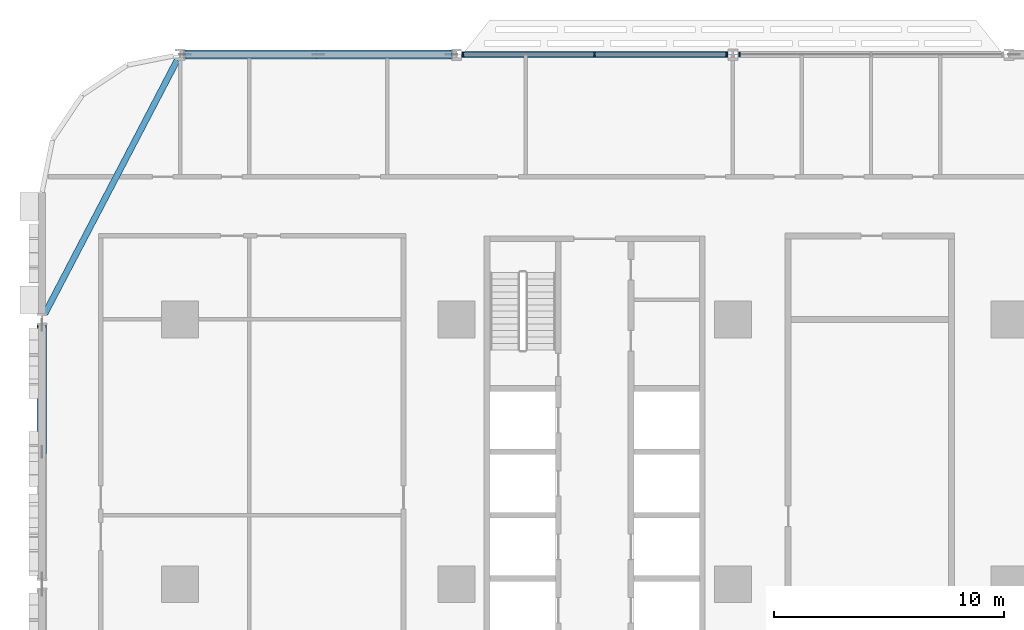
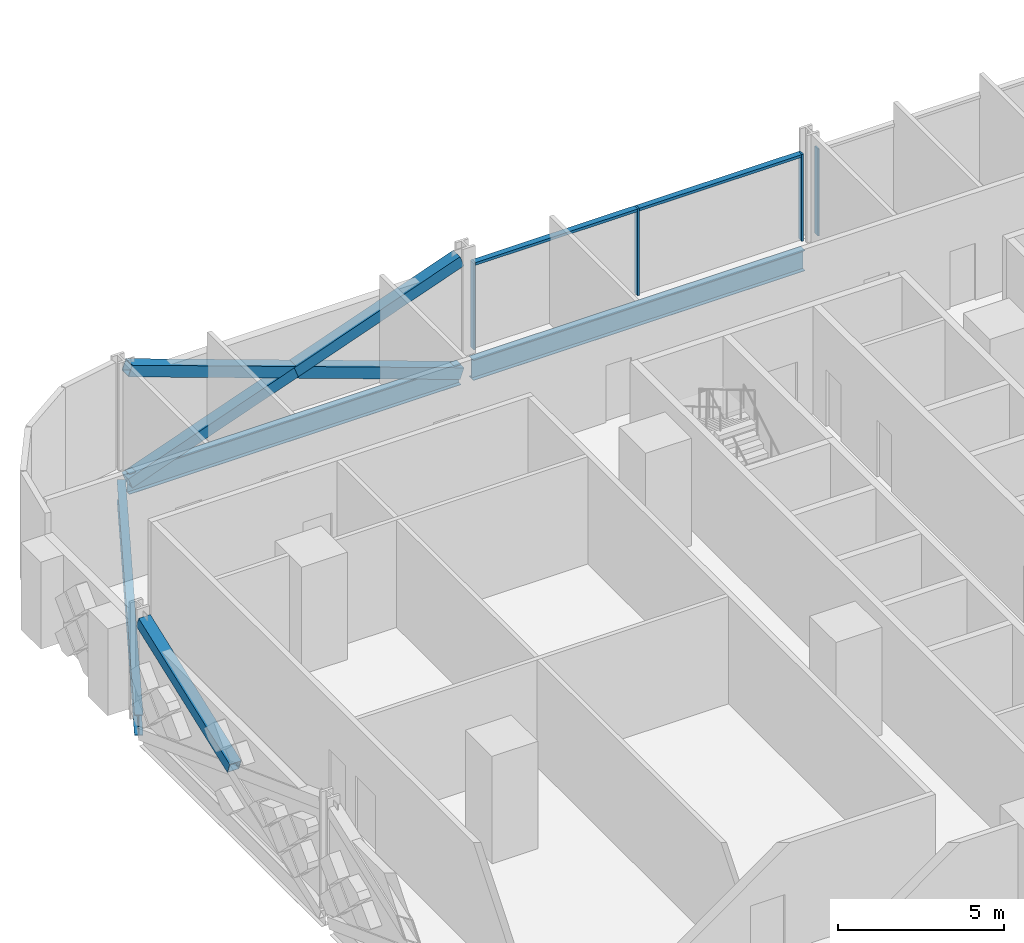
# One storey, part 5 of 27: 10 members, 3 beams, 2 elements without a shape of their own.
"""IFC4 building model written with IfcOpenShell, lengths in metres."""

from ifc_helpers import new_model, si_unit, direction, frame, origin, origin_2d, place, context, subcontext, project, spatial, rectangle, hollow_rectangle, i_section, extrude, material, material_profile, profile_set, type_object, element, aggregate, save


model = new_model("IFC4")

# Units and contexts
model_context = context("Model", 3, precision=1e-05, world=origin(), true_north=direction((0.0, 1.0)))
body_context = subcontext(model_context, "Body", "Model", "MODEL_VIEW")
ifc_project = project(units=[si_unit("LENGTHUNIT", "METRE"), si_unit("AREAUNIT", "SQUARE_METRE"), si_unit("VOLUMEUNIT", "CUBIC_METRE"), si_unit("PLANEANGLEUNIT", "RADIAN"), si_unit("MASSUNIT", "GRAM", prefix="KILO")], contexts=[model_context])

# Site, building, storey
site_placement = place(None, origin())
site = spatial("IfcSite", under=ifc_project, at=site_placement, CompositionType="ELEMENT")
building_placement = place(site_placement, origin())
building = spatial("IfcBuilding", under=site, at=building_placement, Name="Mahtab Terrace Research Tower", CompositionType="ELEMENT")
storey_placement = place(building_placement, frame((0.0, 0.0, 28.699951171875)))
storey = spatial("IfcBuildingStorey", under=building, at=storey_placement, Name="L06", CompositionType="ELEMENT", Elevation=28.699951171875)

# Members
ifc_material_1 = material(Name="Steel ASTM A500 Gr C", Category="steel")
ifc_material_profile_1 = material_profile(ifc_material_1, hollow_rectangle(XDim=0.406494140625, YDim=0.406494140625, WallThickness=0.01904296875, at=origin_2d()), Name="HSS16X16X3/4")
ifc_profile_set_1 = profile_set([ifc_material_profile_1], Name="Steel ASTM A500 Gr C")
member_type_1 = type_object("IfcMemberType", Name="HSS 16x16x3/4 brace XB161634", PredefinedType="BRACE", material=ifc_profile_set_1)
member_1_placement = place(storey_placement, frame((-30.2158203125, 23.0, -0.64111328125), z_axis=(-0.941388097231, 0.0, 0.337325436917), x_axis=(0.0, -1.0, 0.0)))
element("IfcMember", 1, at=member_1_placement, inside=storey, type_object=member_type_1, Name="Exoskeleton brace L06 07 a", PredefinedType="BRACE", context=body_context, shape_type="SweptSolid", body=[
    extrude(hollow_rectangle(XDim=0.406494140625, YDim=0.406494140625, WallThickness=0.01904296875, at=origin_2d()), origin(), (0.0, 0.0, 1.0), 12.28857421875),
])
for number, where, z_axis, x_axis, name in (
    (2, (-41.7841796875, 23.0, -0.64111328125), (0.941381788192, 0.0, 0.337343043295), (0.0, 1.0, 0.0), "Exoskeleton brace L06 07 b1"),
    (3, (-36.0, 23.0, 1.431640625), (0.941394406025, 0.0, 0.337307830185), (0.0, 1.0, 0.0), "Exoskeleton brace L06 07 b2"),
):
    element("IfcMember", number, at=place(storey_placement, frame(where, z_axis=z_axis, x_axis=x_axis)), inside=storey, type_object=member_type_1, Name=name, PredefinedType="BRACE", context=body_context, shape_type="SweptSolid", body=[
        extrude(hollow_rectangle(XDim=0.406494140625, YDim=0.406494140625, WallThickness=0.01904296875, at=origin_2d()), origin(), (0.0, 0.0, 1.0), 6.144287109375),
    ])
member_2_placement = place(storey_placement, frame((-48.0, 5.75, 1.431640625), z_axis=(0.0, 0.936668691391, 0.350216736563), x_axis=(-1.0, 0.0, 0.0)))
element("IfcMember", 4, at=member_2_placement, inside=storey, type_object=member_type_1, Name="Exoskeleton brace L06 09 b2", PredefinedType="BRACE", context=body_context, shape_type="SweptSolid", body=[
    extrude(hollow_rectangle(XDim=0.406494140625, YDim=0.406494140625, WallThickness=0.01904296875, at=origin_2d()), origin(), (0.0, 0.0, 1.0), 5.873291015625),
])

# Curtain wall, member
ifc_material_2 = material(Name="Laboratory ribbon curtain wall")
curtain_wall_type = type_object("IfcCurtainWallType", Name="Laboratory ribbon curtain wall", PredefinedType="NOTDEFINED", material=ifc_material_2)
curtain_wall_1_placement = place(storey_placement, origin())
curtain_wall_1 = element("IfcCurtainWall", 5, at=curtain_wall_1_placement, inside=storey, type_object=curtain_wall_type, Name="EN.L06.3.7", PredefinedType="NOTDEFINED")
ifc_material_3 = material(Name="Natural anodised aluminium", Category="aluminium")
ifc_material_profile_2 = material_profile(ifc_material_3, rectangle(XDim=0.199951171875, YDim=0.06494140625, at=origin_2d()), Name="MULLION 65x200")
ifc_profile_set_2 = profile_set([ifc_material_profile_2], Name="Natural anodised aluminium")
member_type_2 = type_object("IfcMemberType", Name="Laboratory ribbon curtain wall mullion", PredefinedType="MULLION", material=ifc_profile_set_2)
member_3_placement = place(storey_placement, frame((-17.718505859375, 23.0, 0.0), z_axis=(0.0, 0.0, 1.0), x_axis=(0.0, -1.0, 0.0)))
member_3 = element("IfcMember", 6, at=member_3_placement, type_object=member_type_2, Name="CWL-1 mullion 3", PredefinedType="MULLION", context=body_context, shape_type="SweptSolid", body=[
    extrude(rectangle(XDim=0.199951171875, YDim=0.06494140625, at=origin_2d()), origin(), (0.0, 0.0, 1.0), 3.203125),
])
aggregate(curtain_wall_1, [member_3])

# Curtain wall, members
curtain_wall_2_placement = place(storey_placement, origin())
curtain_wall_2 = element("IfcCurtainWall", 7, at=curtain_wall_2_placement, inside=storey, type_object=curtain_wall_type, Name="EN.L06.3.8", PredefinedType="NOTDEFINED")
member_4_placement = place(storey_placement, frame((-18.281494140625, 23.0, 0.0), z_axis=(0.0, 0.0, 1.0), x_axis=(0.0, -1.0, 0.0)))
member_4 = element("IfcMember", 8, at=member_4_placement, type_object=member_type_2, Name="CWL-1 mullion 1", PredefinedType="MULLION", context=body_context, shape_type="SweptSolid", body=[
    extrude(rectangle(XDim=0.199951171875, YDim=0.06494140625, at=origin_2d()), origin(), (0.0, 0.0, 1.0), 3.203125),
])
member_5_placement = place(storey_placement, frame((-24.0, 23.0, 0.0), z_axis=(0.0, 0.0, 1.0), x_axis=(0.0, -1.0, 0.0)))
member_5 = element("IfcMember", 9, at=member_5_placement, type_object=member_type_2, Name="CWL-1 mullion 2", PredefinedType="MULLION", context=body_context, shape_type="SweptSolid", body=[
    extrude(rectangle(XDim=0.199951171875, YDim=0.06494140625, at=origin_2d()), origin(), (0.0, 0.0, 1.0), 3.203125),
])
member_6_placement = place(storey_placement, frame((-29.718505859375, 23.0, 0.0), z_axis=(0.0, 0.0, 1.0), x_axis=(0.0, -1.0, 0.0)))
member_6 = element("IfcMember", 10, at=member_6_placement, type_object=member_type_2, Name="CWL-1 mullion 3", PredefinedType="MULLION", context=body_context, shape_type="SweptSolid", body=[
    extrude(rectangle(XDim=0.199951171875, YDim=0.06494140625, at=origin_2d()), origin(), (0.0, 0.0, 1.0), 3.203125),
])
ifc_material_profile_3 = material_profile(ifc_material_3, rectangle(XDim=0.199951171875, YDim=0.10009765625, at=origin_2d()), Name="TRANSOM 100x200")
ifc_profile_set_3 = profile_set([ifc_material_profile_3], Name="Natural anodised aluminium")
member_type_3 = type_object("IfcMemberType", Name="Laboratory ribbon curtain wall transom", PredefinedType="USERDEFINED", material=ifc_profile_set_3)
member_7_placement = place(storey_placement, frame((-18.31396484375, 23.0, 3.153076171875), z_axis=(-1.0, 0.0, 0.0), x_axis=(0.0, -1.0, 0.0)))
member_7 = element("IfcMember", 11, at=member_7_placement, type_object=member_type_3, Name="CWL-1 transom 1", ObjectType="TRANSOM", PredefinedType="USERDEFINED", context=body_context, shape_type="SweptSolid", body=[
    extrude(rectangle(XDim=0.199951171875, YDim=0.10009765625, at=origin_2d()), origin(), (0.0, 0.0, 1.0), 5.653564453125),
])
member_8_placement = place(storey_placement, frame((-24.032470703125, 23.0, 3.153076171875), z_axis=(-1.0, 0.0, 0.0), x_axis=(0.0, -1.0, 0.0)))
member_8 = element("IfcMember", 12, at=member_8_placement, type_object=member_type_3, Name="CWL-1 transom 2", ObjectType="TRANSOM", PredefinedType="USERDEFINED", context=body_context, shape_type="SweptSolid", body=[
    extrude(rectangle(XDim=0.199951171875, YDim=0.10009765625, at=origin_2d()), origin(), (0.0, 0.0, 1.0), 5.653564453125),
])
aggregate(curtain_wall_2, [member_4, member_5, member_6, member_7, member_8])

# Beams
ifc_material_4 = material(Name="Steel ASTM A992 Gr 50", Category="steel")
ifc_material_profile_4 = material_profile(ifc_material_4, i_section(OverallWidth=0.2666015625, OverallDepth=0.7568359375, WebThickness=0.013916015625, FlangeThickness=0.019287109375, at=origin_2d()), Name="W30X108")
ifc_profile_set_4 = profile_set([ifc_material_profile_4], Name="Steel ASTM A992 Gr 50")
beam_type = type_object("IfcBeamType", Name="W30x108 beam BS30108", PredefinedType="BEAM", material=ifc_profile_set_4)
for number, where, z_axis, x_axis, name in (
    (13, (-18.2158203125, 23.0, -0.718505859375), (-1.0, 0.0, 0.0), (0.0, -1.0, 0.0), "Spandrel beam L06 06"),
    (14, (-30.2158203125, 23.0, -0.718505859375), (-1.0, 0.0, 0.0), (0.0, -1.0, 0.0), "Spandrel beam L06 07"),
):
    element("IfcBeam", number, at=place(storey_placement, frame(where, z_axis=z_axis, x_axis=x_axis)), inside=storey, type_object=beam_type, Name=name, PredefinedType="BEAM", context=body_context, shape_type="SweptSolid", body=[
        extrude(i_section(OverallWidth=0.2666015625, OverallDepth=0.7568359375, WebThickness=0.013916015625, FlangeThickness=0.019287109375, at=origin_2d()), origin(), (0.0, 0.0, 1.0), 11.568359375),
    ])
beam_placement = place(storey_placement, frame((-42.1298828125, 22.751220703125, -0.718505859375), z_axis=(-0.462555249274, -0.88659045865, 0.0), x_axis=(0.88659045865, -0.462555249274, 0.0)))
element("IfcBeam", 15, at=beam_placement, inside=storey, type_object=beam_type, Name="Spandrel beam L06 08", PredefinedType="BEAM", context=body_context, shape_type="SweptSolid", body=[
    extrude(i_section(OverallWidth=0.2666015625, OverallDepth=0.7568359375, WebThickness=0.013916015625, FlangeThickness=0.019287109375, at=origin_2d()), origin(), (0.0, 0.0, 1.0), 12.409912109375),
])

save(model, "model.ifc")
